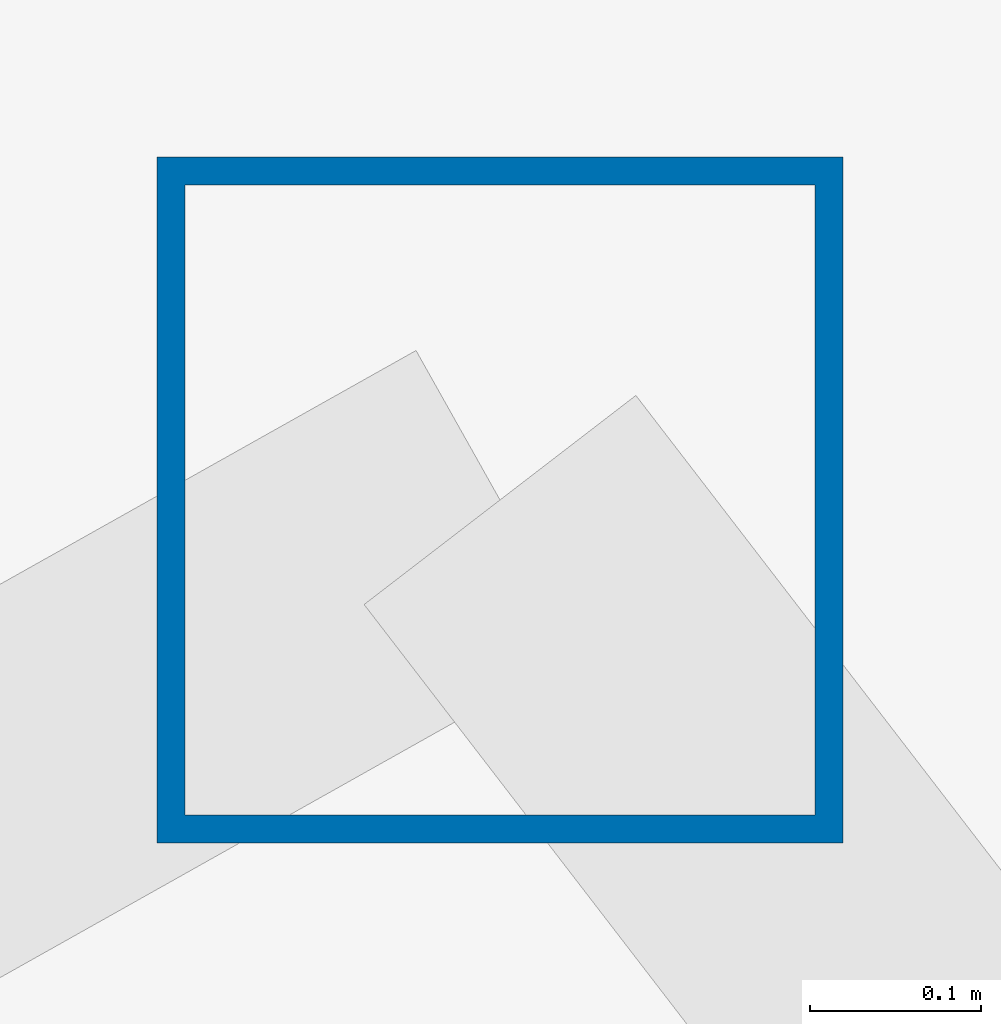
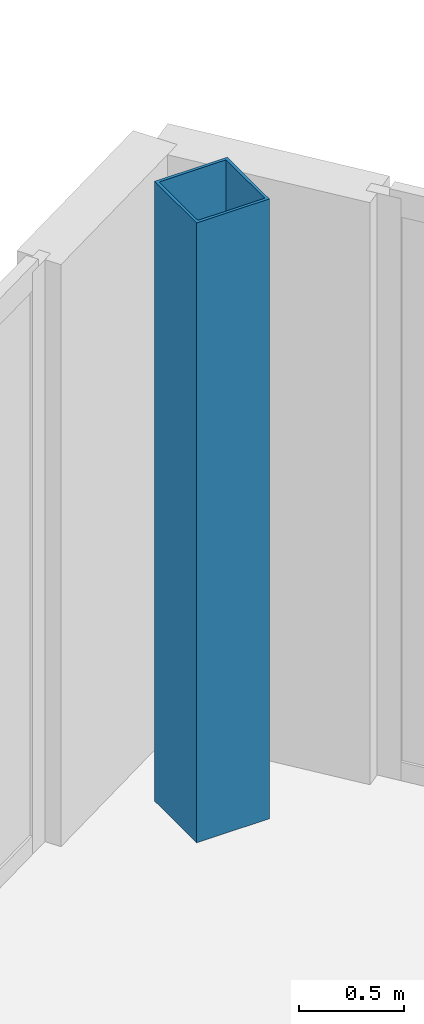
# One storey, part 2 of 25: 1 column.
"""IFC4 building model written with IfcOpenShell, lengths in metres."""

from ifc_helpers import new_model, si_unit, direction, frame, origin, origin_2d, place, context, subcontext, project, spatial, hollow_rectangle, extrude, source, transform, mapped, material, material_profile, profile_set, type_object, type_shapes, element, save


model = new_model("IFC4")

# Units and contexts
model_context = context("Model", 3, precision=1e-05, world=origin(), true_north=direction((0.0, 1.0)))
body_context = subcontext(model_context, "Body", "Model", "MODEL_VIEW")
ifc_project = project(units=[si_unit("LENGTHUNIT", "METRE"), si_unit("AREAUNIT", "SQUARE_METRE"), si_unit("VOLUMEUNIT", "CUBIC_METRE"), si_unit("PLANEANGLEUNIT", "RADIAN"), si_unit("MASSUNIT", "GRAM", prefix="KILO")], contexts=[model_context])

# Site, building, storey
site_placement = place(None, origin())
site = spatial("IfcSite", under=ifc_project, at=site_placement, CompositionType="ELEMENT")
building_placement = place(site_placement, origin())
building = spatial("IfcBuilding", under=site, at=building_placement, Name="Seokmaru Belvedere", CompositionType="ELEMENT")
storey_placement = place(building_placement, frame((0.0, 0.0, 213.89990234375)))
storey = spatial("IfcBuildingStorey", under=building, at=storey_placement, Name="L57", CompositionType="ELEMENT", Elevation=213.89990234375)

# Column
ifc_material = material(Name="Steel SM355 (355 MPa)", Category="steel")
ifc_material_profile = material_profile(ifc_material, hollow_rectangle(XDim=0.39990234375, YDim=0.39990234375, WallThickness=0.01611328125, at=origin_2d()), Name="HSS-400x400x16")
ifc_profile_set = profile_set([ifc_material_profile], Name="Steel SM355 (355 MPa)")
column_type = type_object("IfcColumnType", Name="Perimeter Facet Column HSS-400", PredefinedType="COLUMN", material=ifc_profile_set)
shared_shape = source(origin(), body_context, "Body", "SweptSolid", [
    extrude(hollow_rectangle(XDim=0.39990234375, YDim=0.39990234375, WallThickness=0.01611328125, at=origin_2d()), origin(), (0.0, 0.0, 1.0), 3.60009765625),
])
type_shapes(column_type, [shared_shape])
column_placement = place(storey_placement, frame((-32.649658203125, 21.71044921875, 0.0), z_axis=(0.0, 0.0, 1.0), x_axis=(1.0, 0.0, 0.0)))
element("IfcColumn", 1, at=column_placement, inside=storey, type_object=column_type, Name="L57 Column WF3", PredefinedType="COLUMN", context=body_context, shape_type="MappedRepresentation", body=[
    mapped(shared_shape, transform((0.0, 0.0, 0.0), scale=1.0)),
])

save(model, "model.ifc")
